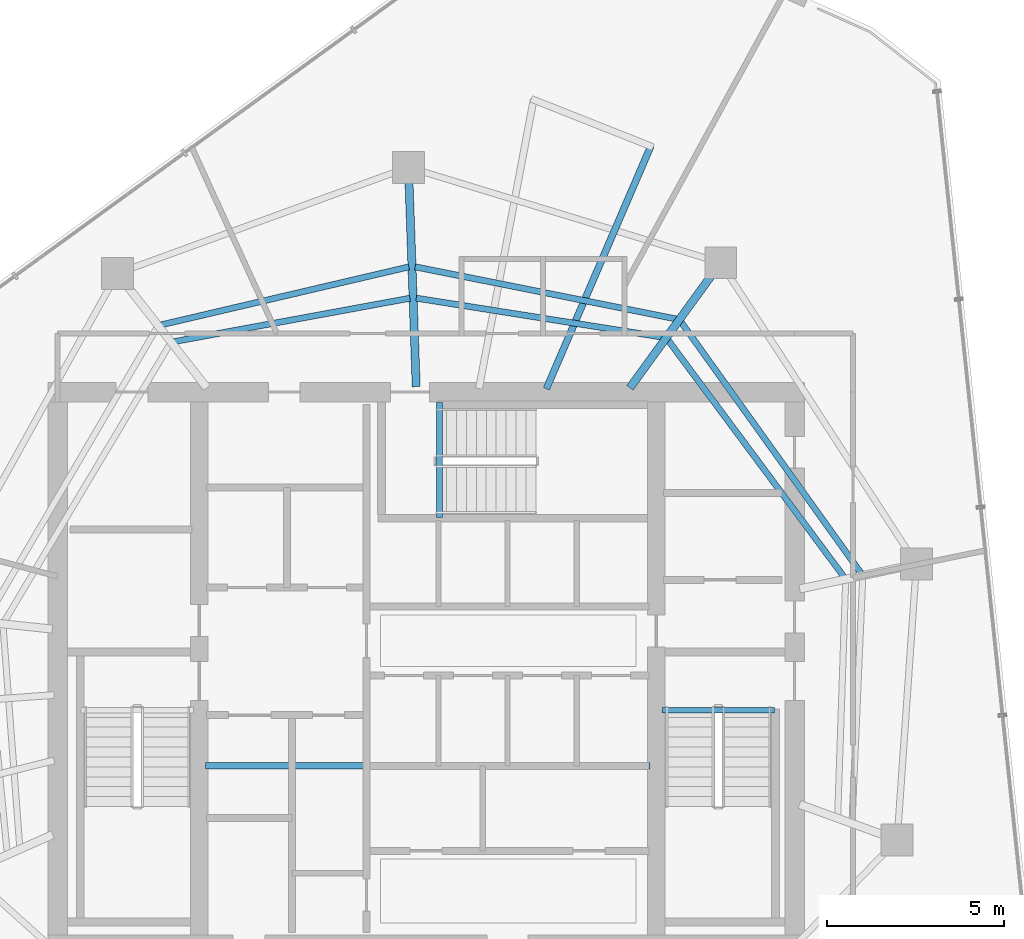
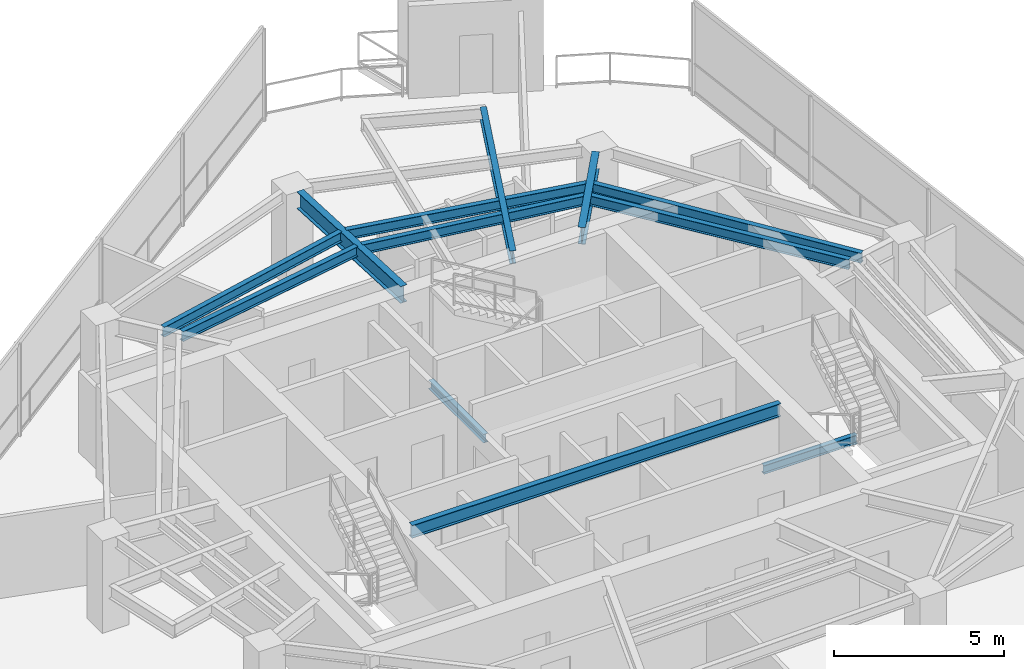
# One storey, part 8 of 20: 12 beams.
"""IFC4 building model written with IfcOpenShell, lengths in metres."""

import ifcopenshell
import ifcopenshell.guid

model = None  # the IFC model being written
_history = None  # IfcOwnerHistory: only IFC2X3 demands one
_inside = {}  # id of a spatial element -> (the spatial element, [elements in it])
_under = {}  # id of a project, library or spatial element -> (it, [spatial elements below it])
_declared = {}  # id of a project -> (the project, [libraries it declares])
_typed = {}  # id of a type object -> (the type object, [elements of that type])
_made_of = {}  # id of a material, layer set ... -> (it, [elements and type objects made of it])


def new_model(schema):
    """Start an empty IFC model of exactly this schema.

    Asked for "IFC4X3", IfcOpenShell would pick the latest addendum, in which some entities
    have other attributes; the version numbers below select the first issue.
    IFC2X3 requires an IfcOwnerHistory on every rooted entity: one is made here for all.
    """
    global model, _history
    if schema == "IFC4X3":
        model = ifcopenshell.file(schema_version=(4, 3, 0, 0))
    else:
        model = ifcopenshell.file(schema=schema)
    _inside.clear()
    _under.clear()
    _declared.clear()
    _typed.clear()
    _made_of.clear()
    _history = None
    if model.schema == "IFC2X3":
        org = make("IfcOrganization", Name="unknown")
        user = make(
            "IfcPersonAndOrganization",
            ThePerson=make("IfcPerson", FamilyName="unknown"),
            TheOrganization=org,
        )
        app = make(
            "IfcApplication",
            ApplicationDeveloper=org,
            Version="unknown",
            ApplicationFullName="unknown",
            ApplicationIdentifier="unknown",
        )
        _history = make(
            "IfcOwnerHistory",
            OwningUser=user,
            OwningApplication=app,
            ChangeAction="ADDED",
            CreationDate=0,
        )
    return model


def make(cls, **values):
    """One entity of the class cls with the attributes given. An attribute that is None is left unset."""
    return model.create_entity(
        cls, **{name: value for name, value in values.items() if value is not None}
    )


def rooted(cls, **values):
    """An entity with a GlobalId (a new one), such as an element, a storey or a relation."""
    return make(cls, GlobalId=ifcopenshell.guid.new(), OwnerHistory=_history, **values)


def si_unit(unit_type, name, prefix=None):
    """IfcSIUnit, for example si_unit("LENGTHUNIT", "METRE", prefix="MILLI")."""
    return make("IfcSIUnit", UnitType=unit_type, Prefix=prefix, Name=name)


def assignment(units):
    """IfcUnitAssignment: the units of a project."""
    return None if units is None else make("IfcUnitAssignment", Units=units)


def point(xyz):
    """IfcCartesianPoint."""
    return None if xyz is None else make("IfcCartesianPoint", Coordinates=xyz)


def direction(xyz):
    """IfcDirection."""
    return None if xyz is None else make("IfcDirection", DirectionRatios=xyz)


def frame(location, z_axis=None, x_axis=None):
    """IfcAxis2Placement3D, a coordinate frame: its origin and axes. An axis left out is left unset."""
    return make(
        "IfcAxis2Placement3D",
        Location=point(location),
        Axis=direction(z_axis),
        RefDirection=direction(x_axis),
    )


def frame_2d(location, x_axis=None):
    """IfcAxis2Placement2D, a coordinate frame in the plane: its origin and x axis."""
    return make(
        "IfcAxis2Placement2D", Location=point(location), RefDirection=direction(x_axis)
    )


def origin():
    """The frame at (0, 0, 0) with its axes left unset."""
    return frame((0.0, 0.0, 0.0))


def origin_2d():
    """The frame at (0, 0) in the plane with its x axis left unset."""
    return frame_2d((0.0, 0.0))


def place(relative_to, where):
    """IfcLocalPlacement: puts the frame where relative to a parent placement (None: the world)."""
    return make(
        "IfcLocalPlacement", PlacementRelTo=relative_to, RelativePlacement=where
    )


def context(
    kind, dimensions, precision=None, world=None, true_north=None, identifier=None
):
    """IfcGeometricRepresentationContext, for example the 3D "Model" context."""
    return make(
        "IfcGeometricRepresentationContext",
        ContextIdentifier=identifier,
        ContextType=kind,
        CoordinateSpaceDimension=dimensions,
        Precision=precision,
        WorldCoordinateSystem=world,
        TrueNorth=true_north,
    )


def subcontext(parent, identifier, kind, view, scale=None):
    """IfcGeometricRepresentationSubContext, for example "Body" below "Model"."""
    return make(
        "IfcGeometricRepresentationSubContext",
        ContextIdentifier=identifier,
        ContextType=kind,
        ParentContext=parent,
        TargetScale=scale,
        TargetView=view,
    )


def project(units=None, contexts=None):
    """IfcProject with its units and contexts."""
    return rooted(
        "IfcProject",
        Name="project",
        RepresentationContexts=contexts,
        UnitsInContext=assignment(units),
    )


def spatial(cls, under=None, at=None, **own):
    """A site, building, storey or space (cls), placed at a placement, below another one or the project."""
    s = rooted(cls, ObjectPlacement=at, **own)
    if under is not None:
        _under.setdefault(under.id(), (under, []))[1].append(s)
    return s


def profile(cls, at=None, kind="AREA", **sizes):
    """A parametric profile (cls). Its sizes go by their IFC names, for example OverallWidth=200.0."""
    return make(cls, ProfileType=kind, Position=at, **sizes)


def i_section(**sizes):
    """IfcIShapeProfileDef."""
    return profile("IfcIShapeProfileDef", **sizes)


def extrude(swept, where, along, depth):
    """IfcExtrudedAreaSolid: the profile swept, set in the frame where, extruded along a direction by depth."""
    return make(
        "IfcExtrudedAreaSolid",
        SweptArea=swept,
        Position=where,
        ExtrudedDirection=direction(along),
        Depth=depth,
    )


def shape(context_of_items, identifier, shape_type, items):
    """IfcShapeRepresentation: the items that make up one representation, for example the "Body"."""
    return make(
        "IfcShapeRepresentation",
        ContextOfItems=context_of_items,
        RepresentationIdentifier=identifier,
        RepresentationType=shape_type,
        Items=items,
    )


def material(Name=None, Category=None):
    """IfcMaterial."""
    return make("IfcMaterial", Name=Name, Category=Category)


def material_profile(
    of_material, cross_section, Name=None, Category=None, Priority=None
):
    """IfcMaterialProfile: a cross section and its material."""
    return make(
        "IfcMaterialProfile",
        Name=Name,
        Material=of_material,
        Profile=cross_section,
        Priority=Priority,
        Category=Category,
    )


def profile_set(profiles, Name=None, composite=None):
    """IfcMaterialProfileSet."""
    return make(
        "IfcMaterialProfileSet",
        Name=Name,
        MaterialProfiles=profiles,
        CompositeProfile=composite,
    )


def made_of(thing, what):
    """Note that an element or type object is made of a material, layer set ...; save() writes the relation."""
    if what is not None:
        _made_of.setdefault(what.id(), (what, []))[1].append(thing)
    return thing


def type_object(cls, material=None, **own):
    """A type object (cls), such as IfcWallType, which elements share."""
    return made_of(rooted(cls, **own), material)


def element(
    cls,
    number,
    at=None,
    inside=None,
    cuts=None,
    type_object=None,
    material=None,
    context=None,
    identifier="Body",
    shape_type=None,
    held_by="IfcProductDefinitionShape",
    body=None,
    shapes=None,
    **own,
):
    """One element of the class cls, such as IfcWall. Its Tag is "e" and its number.

    at: its placement. inside: the storey or other place that contains it. cuts: it is an
    opening in that element (IfcRelVoidsElement). A single representation is given by context,
    identifier, shape_type and body (its items); several are given by shapes. held_by: the class
    of the entity that holds the representations. save() writes the other relations.
    """
    e = rooted(cls, Tag="e%d" % number, ObjectPlacement=at, **own)
    if body is not None:
        shapes = [shape(context, identifier, shape_type, body)]
    if shapes is not None:
        e.Representation = make(held_by, Representations=shapes)
    if inside is not None:
        _inside.setdefault(inside.id(), (inside, []))[1].append(e)
    if cuts is not None:
        rooted(
            "IfcRelVoidsElement", RelatingBuildingElement=cuts, RelatedOpeningElement=e
        )
    if type_object is not None:
        _typed.setdefault(type_object.id(), (type_object, []))[1].append(e)
    return made_of(e, material)


def aggregate(whole, parts):
    """IfcRelAggregates: a whole, such as a stair, and the parts it consists of."""
    return rooted("IfcRelAggregates", RelatingObject=whole, RelatedObjects=parts)


def save(model, path):
    """Write the relations noted so far, then the file.

    IfcRelAggregates (storeys below a building ...), IfcRelContainedInSpatialStructure (elements
    in a storey), IfcRelDefinesByType, IfcRelAssociatesMaterial and IfcRelDeclares: one each for
    every whole, place, type object, material and project.
    """
    for whole, parts in _under.values():
        aggregate(whole, parts)
    for where, things in _inside.values():
        rooted(
            "IfcRelContainedInSpatialStructure",
            RelatedElements=things,
            RelatingStructure=where,
        )
    for kind, things in _typed.values():
        rooted("IfcRelDefinesByType", RelatedObjects=things, RelatingType=kind)
    for what, things in _made_of.values():
        rooted("IfcRelAssociatesMaterial", RelatedObjects=things, RelatingMaterial=what)
    for by, libraries in _declared.values():
        rooted("IfcRelDeclares", RelatingContext=by, RelatedDefinitions=libraries)
    model.write(path)


model = new_model("IFC4")

# Units and contexts
model_context = context("Model", 3, precision=1e-05, world=origin(), true_north=direction((0.0, 1.0)))
body_context = subcontext(model_context, "Body", "Model", "MODEL_VIEW")
ifc_project = project(units=[si_unit("LENGTHUNIT", "METRE"), si_unit("AREAUNIT", "SQUARE_METRE"), si_unit("VOLUMEUNIT", "CUBIC_METRE"), si_unit("PLANEANGLEUNIT", "RADIAN"), si_unit("MASSUNIT", "GRAM", prefix="KILO")], contexts=[model_context])

# Site, building, storey
site_placement = place(None, origin())
site = spatial("IfcSite", under=ifc_project, at=site_placement, CompositionType="ELEMENT")
building_placement = place(site_placement, origin())
building = spatial("IfcBuilding", under=site, at=building_placement, Name="Qarnah Convention Tower", CompositionType="ELEMENT")
storey_placement = place(building_placement, frame((0.0, 0.0, 202.199951171875)))
storey = spatial("IfcBuildingStorey", under=building, at=storey_placement, Name="L54", CompositionType="ELEMENT", Elevation=202.199951171875)

# Beams
ifc_material = material(Name="Structural steel S355JR", Category="steel")
ifc_material_profile_1 = material_profile(ifc_material, i_section(OverallWidth=0.19189453125, OverallDepth=0.464111328125, WebThickness=0.010986328125, FlangeThickness=0.01806640625, at=origin_2d()), Name="W460X89")
ifc_profile_set_1 = profile_set([ifc_material_profile_1], Name="Structural steel S355JR")
beam_type_1 = type_object("IfcBeamType", Name="BM-CANT-W460A", PredefinedType="BEAM", material=ifc_profile_set_1)
beam_1_placement = place(storey_placement, frame((30.97998046875, 23.64990234375, 3.088134765625), z_axis=(1.0, 0.0, 0.0), x_axis=(0.0, 1.0, 0.0)))
element("IfcBeam", 1, at=beam_1_placement, inside=storey, type_object=beam_type_1, Name="L54 beam BM-L54-KC1", PredefinedType="BEAM", context=body_context, shape_type="SweptSolid", body=[
    extrude(i_section(OverallWidth=0.19189453125, OverallDepth=0.464111328125, WebThickness=0.010986328125, FlangeThickness=0.01806640625, at=origin_2d()), origin(), (0.0, 0.0, 1.0), 12.5400390625),
])
beam_2_placement = place(storey_placement, frame((40.596923828125, 34.2919921875, 3.088134765625), z_axis=(0.395334358974, 0.91853728537, 0.0), x_axis=(-0.91853728537, 0.395334358974, 0.0)))
element("IfcBeam", 2, at=beam_2_placement, inside=storey, type_object=beam_type_1, Name="L54 beam BM-L54-CNT-01-1", PredefinedType="BEAM", context=body_context, shape_type="SweptSolid", body=[
    extrude(i_section(OverallWidth=0.19189453125, OverallDepth=0.464111328125, WebThickness=0.010986328125, FlangeThickness=0.01806640625, at=origin_2d()), origin(), (0.0, 0.0, 1.0), 7.4521484375),
])
ifc_material_profile_2 = material_profile(ifc_material, i_section(OverallWidth=0.166015625, OverallDepth=0.31201171875, WebThickness=0.007080078125, FlangeThickness=0.010986328125, at=origin_2d()), Name="W310X45")
ifc_profile_set_2 = profile_set([ifc_material_profile_2], Name="Structural steel S355JR")
beam_type_2 = type_object("IfcBeamType", Name="BM-JST-W310", PredefinedType="JOIST", material=ifc_profile_set_2)
beam_3_placement = place(storey_placement, frame((43.860107421875, 25.217041015625, -0.156005859375), z_axis=(1.0, 0.0, 0.0), x_axis=(0.0, 1.0, 0.0)))
element("IfcBeam", 3, at=beam_3_placement, inside=storey, type_object=beam_type_2, Name="L54 stair landing trimmer beam BM-L54-ST2-TRM", PredefinedType="BEAM", context=body_context, shape_type="SweptSolid", body=[
    extrude(i_section(OverallWidth=0.166015625, OverallDepth=0.31201171875, WebThickness=0.007080078125, FlangeThickness=0.010986328125, at=origin_2d()), origin(), (0.0, 0.0, 1.0), 3.179931640625),
])
beam_4_placement = place(storey_placement, frame((37.5830078125, 30.659912109375, -0.156005859375), z_axis=(0.0, 1.0, 0.0), x_axis=(-1.0, 0.0, 0.0)))
element("IfcBeam", 4, at=beam_4_placement, inside=storey, type_object=beam_type_2, Name="L54 stair landing trimmer beam BM-L54-ST3-TRM", PredefinedType="BEAM", context=body_context, shape_type="SweptSolid", body=[
    extrude(i_section(OverallWidth=0.166015625, OverallDepth=0.31201171875, WebThickness=0.007080078125, FlangeThickness=0.010986328125, at=origin_2d()), origin(), (0.0, 0.0, 1.0), 3.239990234375),
])
ifc_material_profile_3 = material_profile(ifc_material, i_section(OverallWidth=0.172119140625, OverallDepth=0.35595703125, WebThickness=0.007080078125, FlangeThickness=0.011962890625, at=origin_2d()), Name="W360X51")
ifc_profile_set_3 = profile_set([ifc_material_profile_3], Name="Structural steel S355JR")
beam_type_3 = type_object("IfcBeamType", Name="BM-JST-W360", PredefinedType="JOIST", material=ifc_profile_set_3)
beam_5_placement = place(storey_placement, frame((49.47509765625, 29.093017578125, 3.14208984375), z_axis=(-0.582537157954, 0.812804072088, 0.0), x_axis=(-0.812804072088, -0.582537157954, 0.0)))
element("IfcBeam", 5, at=beam_5_placement, inside=storey, type_object=beam_type_3, Name="L54 joist BM-L54-SJST-01", PredefinedType="JOIST", context=body_context, shape_type="SweptSolid", body=[
    extrude(i_section(OverallWidth=0.172119140625, OverallDepth=0.35595703125, WebThickness=0.007080078125, FlangeThickness=0.011962890625, at=origin_2d()), origin(), (0.0, 0.0, 1.0), 8.706787109375),
])
beam_6_placement = place(storey_placement, frame((44.262939453125, 36.260986328125, 3.14208984375), z_axis=(-0.980638100226, 0.195828793556, 0.0), x_axis=(-0.195828793556, -0.980638100226, 0.0)))
element("IfcBeam", 6, at=beam_6_placement, inside=storey, type_object=beam_type_3, Name="L54 joist BM-L54-SJST-02", PredefinedType="JOIST", context=body_context, shape_type="SweptSolid", body=[
    extrude(i_section(OverallWidth=0.172119140625, OverallDepth=0.35595703125, WebThickness=0.007080078125, FlangeThickness=0.011962890625, at=origin_2d()), origin(), (0.0, 0.0, 1.0), 7.516357421875),
])
beam_7_placement = place(storey_placement, frame((36.716064453125, 37.73095703125, 3.14208984375), z_axis=(-0.973703273154, -0.227819963676, 0.0), x_axis=(0.227819963676, -0.973703273154, 0.0)))
element("IfcBeam", 7, at=beam_7_placement, inside=storey, type_object=beam_type_3, Name="L54 joist BM-L54-SJST-03", PredefinedType="JOIST", context=body_context, shape_type="SweptSolid", body=[
    extrude(i_section(OverallWidth=0.172119140625, OverallDepth=0.35595703125, WebThickness=0.007080078125, FlangeThickness=0.011962890625, at=origin_2d()), origin(), (0.0, 0.0, 1.0), 7.1767578125),
])
beam_8_placement = place(storey_placement, frame((48.990966796875, 28.989990234375, 3.14208984375), z_axis=(-0.596497073745, 0.802615250922, 0.0), x_axis=(-0.802615250922, -0.596497073745, 0.0)))
element("IfcBeam", 8, at=beam_8_placement, inside=storey, type_object=beam_type_3, Name="L54 joist BM-L54-IJST-01", PredefinedType="JOIST", context=body_context, shape_type="SweptSolid", body=[
    extrude(i_section(OverallWidth=0.172119140625, OverallDepth=0.35595703125, WebThickness=0.007080078125, FlangeThickness=0.011962890625, at=origin_2d()), origin(), (0.0, 0.0, 1.0), 8.310302734375),
])
beam_9_placement = place(storey_placement, frame((43.89111328125, 35.74609375, 3.14208984375), z_axis=(-0.987698054277, 0.156373122936, 0.0), x_axis=(-0.156373122936, -0.987698054277, 0.0)))
element("IfcBeam", 9, at=beam_9_placement, inside=storey, type_object=beam_type_3, Name="L54 joist BM-L54-IJST-02", PredefinedType="JOIST", context=body_context, shape_type="SweptSolid", body=[
    extrude(i_section(OverallWidth=0.172119140625, OverallDepth=0.35595703125, WebThickness=0.007080078125, FlangeThickness=0.011962890625, at=origin_2d()), origin(), (0.0, 0.0, 1.0), 7.0537109375),
])
beam_10_placement = place(storey_placement, frame((36.74609375, 36.846923828125, 3.14208984375), z_axis=(-0.983488206865, -0.180972227031, 0.0), x_axis=(0.180972227031, -0.983488206865, 0.0)))
element("IfcBeam", 10, at=beam_10_placement, inside=storey, type_object=beam_type_3, Name="L54 joist BM-L54-IJST-03", PredefinedType="JOIST", context=body_context, shape_type="SweptSolid", body=[
    extrude(i_section(OverallWidth=0.172119140625, OverallDepth=0.35595703125, WebThickness=0.007080078125, FlangeThickness=0.011962890625, at=origin_2d()), origin(), (0.0, 0.0, 1.0), 6.7626953125),
])
ifc_material_profile_4 = material_profile(ifc_material, i_section(OverallWidth=0.22802734375, OverallDepth=0.60791015625, WebThickness=0.010986328125, FlangeThickness=0.01708984375, at=origin_2d()), Name="W610X113")
ifc_profile_set_4 = profile_set([ifc_material_profile_4], Name="Structural steel S355JR")
beam_type_4 = type_object("IfcBeamType", Name="BM-RAD-W610B", PredefinedType="BEAM", material=ifc_profile_set_4)
beam_11_placement = place(storey_placement, frame((42.955078125, 34.321044921875, 3.01611328125), z_axis=(0.587650613849, 0.809114797815, 0.0), x_axis=(-0.809114797815, 0.587650613849, 0.0)))
element("IfcBeam", 11, at=beam_11_placement, inside=storey, type_object=beam_type_4, Name="L54 beam BM-L54-RAD-02", PredefinedType="BEAM", context=body_context, shape_type="SweptSolid", body=[
    extrude(i_section(OverallWidth=0.22802734375, OverallDepth=0.60791015625, WebThickness=0.010986328125, FlangeThickness=0.01708984375, at=origin_2d()), origin(), (0.0, 0.0, 1.0), 3.928955078125),
])
beam_12_placement = place(storey_placement, frame((36.923095703125, 34.35009765625, 3.01611328125), z_axis=(-0.035067624348, 0.999384941713, 0.0), x_axis=(-0.999384941713, -0.035067624348, 0.0)))
element("IfcBeam", 12, at=beam_12_placement, inside=storey, type_object=beam_type_4, Name="L54 beam BM-L54-RAD-03", PredefinedType="BEAM", context=body_context, shape_type="SweptSolid", body=[
    extrude(i_section(OverallWidth=0.22802734375, OverallDepth=0.60791015625, WebThickness=0.010986328125, FlangeThickness=0.01708984375, at=origin_2d()), origin(), (0.0, 0.0, 1.0), 5.7646484375),
])

save(model, "model.ifc")
